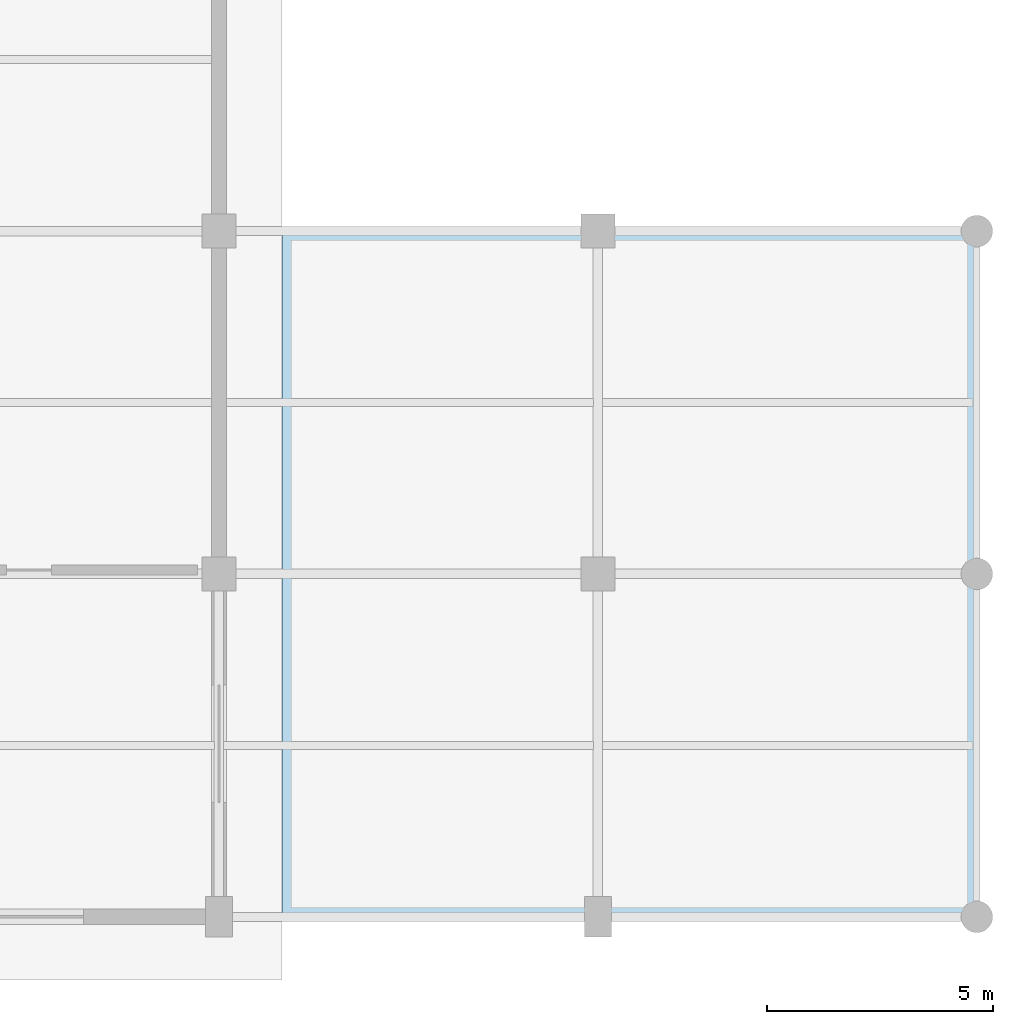
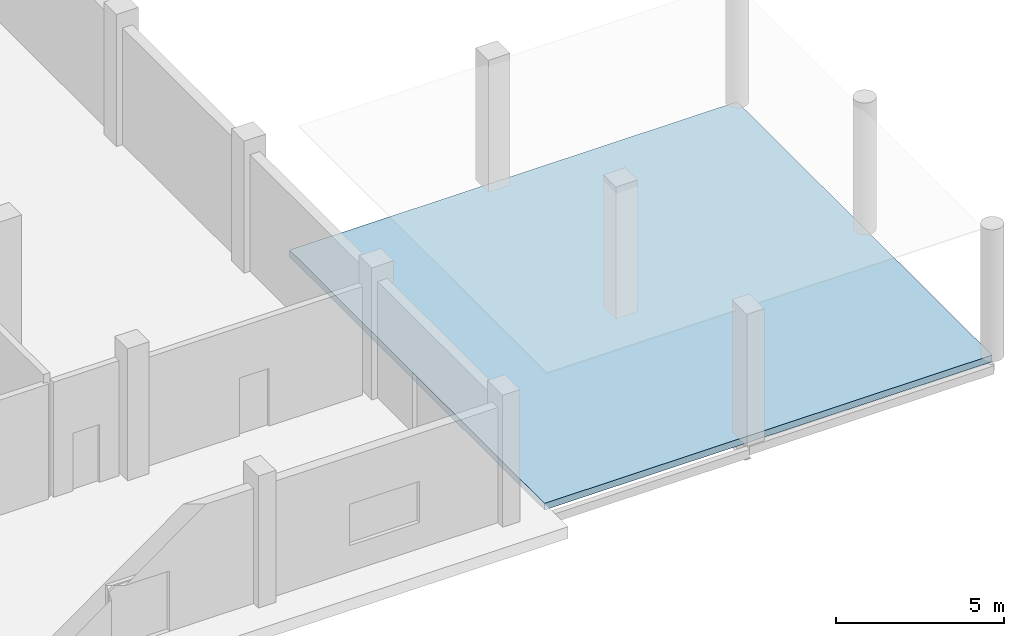
# One storey, part 12 of 36: 1 slab.
"""IFC4 building model written with IfcOpenShell, lengths in metres."""

from ifc_helpers import new_model, si_unit, direction, frame, origin, place, context, subcontext, project, spatial, polyline, outline, extrude, material, layer, layer_set, type_object, element, save


model = new_model("IFC4")

# Units and contexts
model_context = context("Model", 3, precision=1e-05, world=origin(), true_north=direction((0.0, 1.0)))
body_context = subcontext(model_context, "Body", "Model", "MODEL_VIEW")
ifc_project = project(units=[si_unit("LENGTHUNIT", "METRE"), si_unit("AREAUNIT", "SQUARE_METRE"), si_unit("VOLUMEUNIT", "CUBIC_METRE"), si_unit("PLANEANGLEUNIT", "RADIAN"), si_unit("MASSUNIT", "GRAM", prefix="KILO")], contexts=[model_context])

# Site, building, storey
site_placement = place(None, origin())
site = spatial("IfcSite", under=ifc_project, at=site_placement, CompositionType="ELEMENT")
building_placement = place(site_placement, origin())
building = spatial("IfcBuilding", under=site, at=building_placement, Name="Zuvorla Pavilion Media Centre", CompositionType="ELEMENT")
storey_placement = place(building_placement, origin())
storey = spatial("IfcBuildingStorey", under=building, at=storey_placement, Name="L00", CompositionType="ELEMENT", Elevation=0.0)

# Slab
ifc_material = material(Name="Precast concrete C40/50", Category="concrete")
ifc_layer = layer(ifc_material, 0.239990234375)
ifc_layer_set = layer_set([ifc_layer], Name="Precast concrete C40/50")
slab_type = type_object("IfcSlabType", Name="SLB-DECK-240", PredefinedType="FLOOR", material=ifc_layer_set)
slab_placement = place(storey_placement, frame((0.0, 0.0, -0.239990234375)))
element("IfcSlab", 1, at=slab_placement, inside=storey, type_object=slab_type, Name="L00 floor slab COLE", PredefinedType="FLOOR", context=body_context, shape_type="SweptSolid", body=[
    extrude(outline(polyline([(176.0, 6.0), (176.0, 21.199951171875), (160.60009765625, 21.199951171875), (160.60009765625, 6.0), (176.0, 6.0)])), origin(), (0.0, 0.0, 1.0), 0.239990234375),
])

save(model, "model.ifc")
